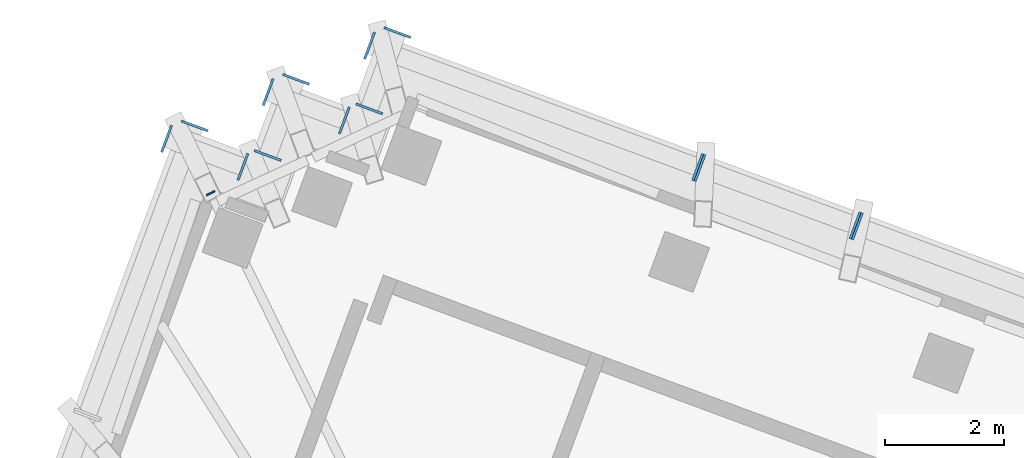
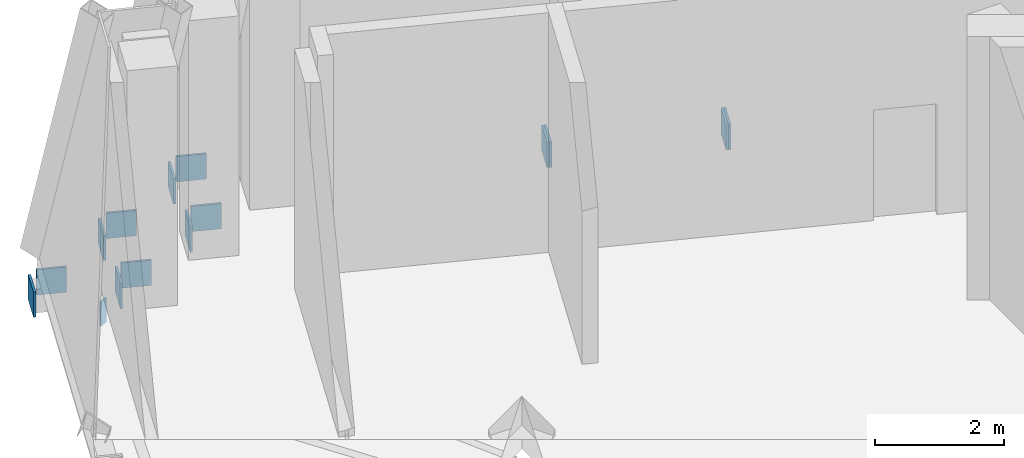
# One storey, part 11 of 13: 15 discrete accessories, 8 elements without a shape of their own.
"""IFC4 building model written with IfcOpenShell, lengths in metres."""

from ifc_helpers import new_model, si_unit, direction, frame, origin, place, context, subcontext, project, spatial, polyline, outline, extrude, material, layer, layer_set, type_object, element, aggregate, save


model = new_model("IFC4")

# Units and contexts
model_context = context("Model", 3, precision=1e-05, world=origin(), true_north=direction((0.0, 1.0)))
body_context = subcontext(model_context, "Body", "Model", "MODEL_VIEW")
ifc_project = project(units=[si_unit("LENGTHUNIT", "METRE"), si_unit("AREAUNIT", "SQUARE_METRE"), si_unit("VOLUMEUNIT", "CUBIC_METRE"), si_unit("PLANEANGLEUNIT", "RADIAN"), si_unit("MASSUNIT", "GRAM", prefix="KILO")], contexts=[model_context])

# Site, building, storey
site_placement = place(None, origin())
site = spatial("IfcSite", under=ifc_project, at=site_placement, CompositionType="ELEMENT")
building_placement = place(site_placement, origin())
building = spatial("IfcBuilding", under=site, at=building_placement, Name="Cantera Rosa Tower", CompositionType="ELEMENT")
storey_placement = place(building_placement, frame((0.0, 0.0, 355.699951171875)))
storey = spatial("IfcBuildingStorey", under=building, at=storey_placement, Name="L80", CompositionType="ELEMENT", Elevation=355.699951171875)

# Curtain wall, discrete accessory
ifc_material_1 = material(Name="Aluminium frame with clear glass", Category="aluminium")
curtain_wall_type = type_object("IfcCurtainWallType", Name="CW4 CROWN GLAZING", PredefinedType="NOTDEFINED", material=ifc_material_1)
curtain_wall_1_placement = place(storey_placement, origin())
curtain_wall_1 = element("IfcCurtainWall", 1, at=curtain_wall_1_placement, inside=storey, type_object=curtain_wall_type, Name="CW4 L80-03", PredefinedType="NOTDEFINED")
ifc_material_2 = material(Name="Steel S355J2 (EN 10025-2)", Category="steel")
ifc_layer = layer(ifc_material_2, 0.030029296875)
ifc_layer_set = layer_set([ifc_layer], Name="NODE PLATE 30")
discrete_accessory_type = type_object("IfcDiscreteAccessoryType", Name="NODE PLATE 30", PredefinedType="ANCHORPLATE", material=ifc_layer_set)
discrete_accessory_1_placement = place(storey_placement, frame((3.13232421875, 14.843994140625, -0.43505859375), z_axis=(-0.937742626232, 0.347330918501, 0.0), x_axis=(0.347330918501, 0.937742626232, 0.0)))
discrete_accessory_1 = element("IfcDiscreteAccessory", 2, at=discrete_accessory_1_placement, type_object=discrete_accessory_type, Name="END PLATE TE1", PredefinedType="ANCHORPLATE", context=body_context, shape_type="SweptSolid", body=[
    extrude(outline(polyline([(0.0, 0.0), (0.4800840869406107, 0.0), (0.4800840869406107, 0.47998046875), (0.0, 0.47998046875), (0.0, 0.0)])), origin(), (0.0, 0.0, -1.0), 0.0400390625),
])
aggregate(curtain_wall_1, [discrete_accessory_1])

# Curtain wall, discrete accessories
curtain_wall_2_placement = place(storey_placement, origin())
curtain_wall_2 = element("IfcCurtainWall", 3, at=curtain_wall_2_placement, inside=storey, type_object=curtain_wall_type, Name="CW4 L80-04", PredefinedType="NOTDEFINED")
discrete_accessory_2_placement = place(storey_placement, frame((3.374267578125, 15.266357421875, -0.43505859375), z_axis=(0.937742626232, -0.347330918501, 0.0), x_axis=(-0.347330918501, -0.937742626232, 0.0)))
discrete_accessory_2 = element("IfcDiscreteAccessory", 4, at=discrete_accessory_2_placement, type_object=discrete_accessory_type, Name="END PLATE TE0", PredefinedType="ANCHORPLATE", context=body_context, shape_type="SweptSolid", body=[
    extrude(outline(polyline([(0.0, 0.0), (0.4800840869406107, 0.0), (0.4800840869406107, 0.47998046875), (0.0, 0.47998046875), (0.0, 0.0)])), origin(), (0.0, 0.0, -1.0), 0.0400390625),
])
discrete_accessory_3_placement = place(storey_placement, frame((0.48046875, 15.826904296875, -0.43505859375), z_axis=(-0.937681233018, 0.347496626235, 0.0), x_axis=(0.347496626235, 0.937681233018, 0.0)))
discrete_accessory_3 = element("IfcDiscreteAccessory", 5, at=discrete_accessory_3_placement, type_object=discrete_accessory_type, Name="END PLATE TE1", PredefinedType="ANCHORPLATE", context=body_context, shape_type="SweptSolid", body=[
    extrude(outline(polyline([(0.0, 0.0), (0.4798551533622547, 0.0), (0.4798551533622547, 0.47998046875), (0.0, 0.47998046875), (0.0, 0.0)])), origin(), (0.0, 0.0, -1.0), 0.0400390625),
])
aggregate(curtain_wall_2, [discrete_accessory_2, discrete_accessory_3])

curtain_wall_3_placement = place(storey_placement, origin())
curtain_wall_3 = element("IfcCurtainWall", 6, at=curtain_wall_3_placement, inside=storey, type_object=curtain_wall_type, Name="CW4 L80-05", PredefinedType="NOTDEFINED")
discrete_accessory_4_placement = place(storey_placement, frame((0.72216796875, 16.2490234375, -0.43505859375), z_axis=(0.937681233018, -0.347496626235, 0.0), x_axis=(-0.347496626235, -0.937681233018, 0.0)))
discrete_accessory_4 = element("IfcDiscreteAccessory", 7, at=discrete_accessory_4_placement, type_object=discrete_accessory_type, Name="END PLATE TE0", PredefinedType="ANCHORPLATE", context=body_context, shape_type="SweptSolid", body=[
    extrude(outline(polyline([(0.0, 0.0), (0.4798551533622547, 0.0), (0.4798551533622547, 0.47998046875), (0.0, 0.47998046875), (0.0, 0.0)])), origin(), (0.0, 0.0, -1.0), 0.0400390625),
])
discrete_accessory_5_placement = place(storey_placement, frame((-5.04736328125, 17.875244140625, -0.43505859375), z_axis=(-0.937681233018, 0.347496626235, 0.0), x_axis=(0.347496626235, 0.937681233018, 0.0)))
discrete_accessory_5 = element("IfcDiscreteAccessory", 8, at=discrete_accessory_5_placement, type_object=discrete_accessory_type, Name="END PLATE TE1", PredefinedType="ANCHORPLATE", context=body_context, shape_type="SweptSolid", body=[
    extrude(outline(polyline([(0.0, 0.0), (0.4798551533622547, 0.0), (0.4798551533622547, 0.47998046875), (0.0, 0.47998046875), (0.0, 0.0)])), origin(), (0.0, 0.0, -1.0), 0.0400390625),
])
aggregate(curtain_wall_3, [discrete_accessory_4, discrete_accessory_5])

curtain_wall_4_placement = place(storey_placement, origin())
curtain_wall_4 = element("IfcCurtainWall", 9, at=curtain_wall_4_placement, inside=storey, type_object=curtain_wall_type, Name="CW4 L80-06", PredefinedType="NOTDEFINED")
discrete_accessory_6_placement = place(storey_placement, frame((-4.693603515625, 18.41357421875, -0.43505859375), z_axis=(0.347943850259, 0.93751537431, 0.0), x_axis=(0.93751537431, -0.347943850259, 0.0)))
discrete_accessory_6 = element("IfcDiscreteAccessory", 10, at=discrete_accessory_6_placement, type_object=discrete_accessory_type, Name="END PLATE TE0", PredefinedType="ANCHORPLATE", context=body_context, shape_type="SweptSolid", body=[
    extrude(outline(polyline([(0.0, 0.0), (0.47994004600337425, 0.0), (0.47994004600337425, 0.47998046875), (0.0, 0.47998046875), (0.0, 0.0)])), origin(), (0.0, 0.0, -1.0), 0.0400390625),
])
discrete_accessory_7_placement = place(storey_placement, frame((-4.733642578125, 16.924560546875, -0.43505859375), z_axis=(-0.347496626235, -0.937681233018, 0.0), x_axis=(-0.937681233018, 0.347496626235, 0.0)))
discrete_accessory_7 = element("IfcDiscreteAccessory", 11, at=discrete_accessory_7_placement, type_object=discrete_accessory_type, Name="END PLATE TE1", PredefinedType="ANCHORPLATE", context=body_context, shape_type="SweptSolid", body=[
    extrude(outline(polyline([(0.0, 0.0), (0.4798551533622547, 0.0), (0.4798551533622547, 0.47998046875), (0.0, 0.47998046875), (0.0, 0.0)])), origin(), (0.0, 0.0, -1.0), 0.0400390625),
])
aggregate(curtain_wall_4, [discrete_accessory_6, discrete_accessory_7])

curtain_wall_5_placement = place(storey_placement, origin())
curtain_wall_5 = element("IfcCurtainWall", 12, at=curtain_wall_5_placement, inside=storey, type_object=curtain_wall_type, Name="CW4 L80-07", PredefinedType="NOTDEFINED")
discrete_accessory_8_placement = place(storey_placement, frame((-5.268310546875, 17.05078125, -0.43505859375), z_axis=(0.937681233018, -0.347496626235, 0.0), x_axis=(-0.347496626235, -0.937681233018, 0.0)))
discrete_accessory_8 = element("IfcDiscreteAccessory", 13, at=discrete_accessory_8_placement, type_object=discrete_accessory_type, Name="END PLATE TE0", PredefinedType="ANCHORPLATE", context=body_context, shape_type="SweptSolid", body=[
    extrude(outline(polyline([(0.0, 0.0), (0.4798551533622547, 0.0), (0.4798551533622547, 0.47998046875), (0.0, 0.47998046875), (0.0, 0.0)])), origin(), (0.0, 0.0, -1.0), 0.0400390625),
])
discrete_accessory_9_placement = place(storey_placement, frame((-6.757080078125, 17.090576171875, -0.43505859375), z_axis=(-0.937742626232, 0.347330918501, 0.0), x_axis=(0.347330918501, 0.937742626232, 0.0)))
discrete_accessory_9 = element("IfcDiscreteAccessory", 14, at=discrete_accessory_9_placement, type_object=discrete_accessory_type, Name="END PLATE TE1", PredefinedType="ANCHORPLATE", context=body_context, shape_type="SweptSolid", body=[
    extrude(outline(polyline([(0.0, 0.0), (0.4800840869406107, 0.0), (0.4800840869406107, 0.47998046875), (0.0, 0.47998046875), (0.0, 0.0)])), origin(), (0.0, 0.0, -1.0), 0.0400390625),
])
aggregate(curtain_wall_5, [discrete_accessory_8, discrete_accessory_9])

curtain_wall_6_placement = place(storey_placement, origin())
curtain_wall_6 = element("IfcCurtainWall", 15, at=curtain_wall_6_placement, inside=storey, type_object=curtain_wall_type, Name="CW4 L80-08", PredefinedType="NOTDEFINED")
discrete_accessory_10_placement = place(storey_placement, frame((-6.4033203125, 17.62744140625, -0.43505859375), z_axis=(0.347496626235, 0.937681233018, 0.0), x_axis=(0.937681233018, -0.347496626235, 0.0)))
discrete_accessory_10 = element("IfcDiscreteAccessory", 16, at=discrete_accessory_10_placement, type_object=discrete_accessory_type, Name="END PLATE TE0", PredefinedType="ANCHORPLATE", context=body_context, shape_type="SweptSolid", body=[
    extrude(outline(polyline([(0.0, 0.0), (0.4798551533622547, 0.0), (0.4798551533622547, 0.47998046875), (0.0, 0.47998046875), (0.0, 0.0)])), origin(), (0.0, 0.0, -1.0), 0.0400390625),
])
discrete_accessory_11_placement = place(storey_placement, frame((-6.443115234375, 16.138671875, -0.43505859375), z_axis=(-0.347330918501, -0.937742626232, 0.0), x_axis=(-0.937742626232, 0.347330918501, 0.0)))
discrete_accessory_11 = element("IfcDiscreteAccessory", 17, at=discrete_accessory_11_placement, type_object=discrete_accessory_type, Name="END PLATE TE1", PredefinedType="ANCHORPLATE", context=body_context, shape_type="SweptSolid", body=[
    extrude(outline(polyline([(0.0, 0.0), (0.4800840869406107, 0.0), (0.4800840869406107, 0.47998046875), (0.0, 0.47998046875), (0.0, 0.0)])), origin(), (0.0, 0.0, -1.0), 0.0400390625),
])
aggregate(curtain_wall_6, [discrete_accessory_10, discrete_accessory_11])

curtain_wall_7_placement = place(storey_placement, origin())
curtain_wall_7 = element("IfcCurtainWall", 18, at=curtain_wall_7_placement, inside=storey, type_object=curtain_wall_type, Name="CW4 L80-09", PredefinedType="NOTDEFINED")
discrete_accessory_12_placement = place(storey_placement, frame((-6.97802734375, 16.26611328125, -0.43505859375), z_axis=(0.937681233018, -0.347496626235, 0.0), x_axis=(-0.347496626235, -0.937681233018, 0.0)))
discrete_accessory_12 = element("IfcDiscreteAccessory", 19, at=discrete_accessory_12_placement, type_object=discrete_accessory_type, Name="END PLATE TE0", PredefinedType="ANCHORPLATE", context=body_context, shape_type="SweptSolid", body=[
    extrude(outline(polyline([(0.0, 0.0), (0.4798551533622547, 0.0), (0.4798551533622547, 0.47998046875), (0.0, 0.47998046875), (0.0, 0.0)])), origin(), (0.0, 0.0, -1.0), 0.0400390625),
])
discrete_accessory_13_placement = place(storey_placement, frame((-8.467041015625, 16.305908203125, -0.43505859375), z_axis=(-0.937576914778, 0.347777987911, 0.0), x_axis=(0.347777987911, 0.937576914778, 0.0)))
discrete_accessory_13 = element("IfcDiscreteAccessory", 20, at=discrete_accessory_13_placement, type_object=discrete_accessory_type, Name="END PLATE TE1", PredefinedType="ANCHORPLATE", context=body_context, shape_type="SweptSolid", body=[
    extrude(outline(polyline([(0.0, 0.0), (0.4801689391068604, 0.0), (0.4801689391068604, 0.47998046875), (0.0, 0.47998046875), (0.0, 0.0)])), origin(), (0.0, 0.0, -1.0), 0.0400390625),
])
aggregate(curtain_wall_7, [discrete_accessory_12, discrete_accessory_13])

# Curtain wall, discrete accessory
curtain_wall_8_placement = place(storey_placement, origin())
curtain_wall_8 = element("IfcCurtainWall", 21, at=curtain_wall_8_placement, inside=storey, type_object=curtain_wall_type, Name="CW4 L80-10", PredefinedType="NOTDEFINED")
discrete_accessory_14_placement = place(storey_placement, frame((-8.11279296875, 16.841796875, -0.43505859375), z_axis=(0.347496626235, 0.937681233018, 0.0), x_axis=(0.937681233018, -0.347496626235, 0.0)))
discrete_accessory_14 = element("IfcDiscreteAccessory", 22, at=discrete_accessory_14_placement, type_object=discrete_accessory_type, Name="END PLATE TE0", PredefinedType="ANCHORPLATE", context=body_context, shape_type="SweptSolid", body=[
    extrude(outline(polyline([(0.0, 0.0), (0.4798551533622547, 0.0), (0.4798551533622547, 0.47998046875), (0.0, 0.47998046875), (0.0, 0.0)])), origin(), (0.0, 0.0, -1.0), 0.0400390625),
])
aggregate(curtain_wall_8, [discrete_accessory_14])

# Discrete accessory
discrete_accessory_15_placement = place(storey_placement, frame((0.0, 0.0, -0.909912109375)))
element("IfcDiscreteAccessory", 23, at=discrete_accessory_15_placement, inside=storey, type_object=discrete_accessory_type, Name="END PLATE CG-Z6-03 L80 A", PredefinedType="ANCHORPLATE", context=body_context, shape_type="SweptSolid", body=[
    extrude(outline(polyline([(-7.68505859375, 15.55859375), (-7.6982421875, 15.58544921875), (-7.559814453125, 15.653076171875), (-7.546630859375, 15.626220703125), (-7.68505859375, 15.55859375)])), origin(), (0.0, 0.0, 1.0), 0.4599609375),
])

save(model, "model.ifc")
